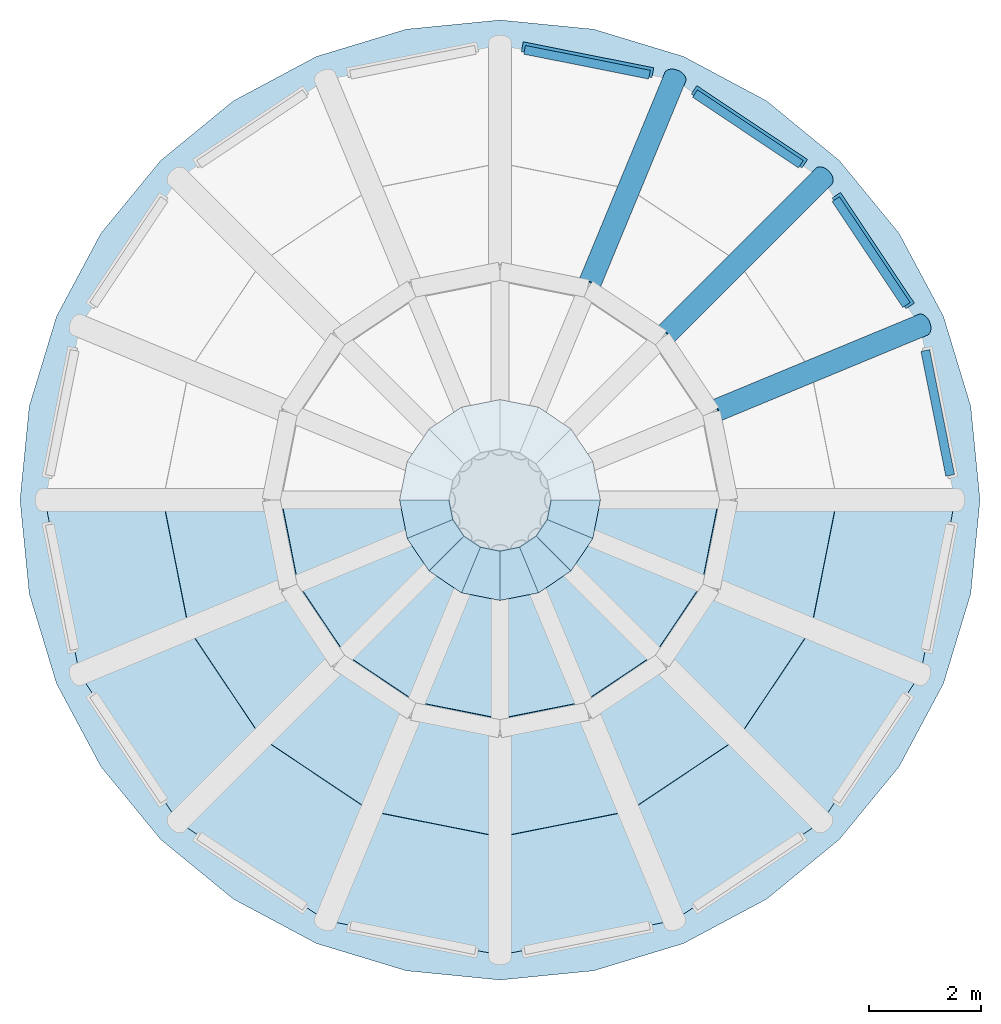
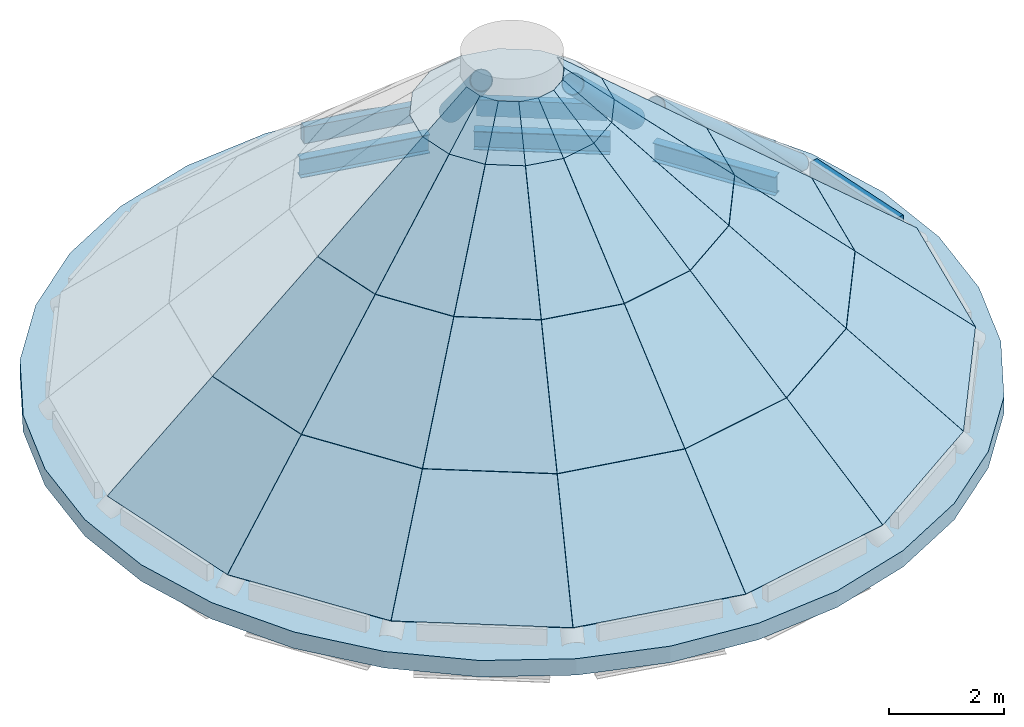
# One storey, part 2 of 3: 33 plates, 7 members, 3 beams, 1 slab, 12 elements without a shape of their own.
"""IFC4 building model written with IfcOpenShell, lengths in metres."""

from ifc_helpers import new_model, si_unit, direction, frame, origin, origin_2d, place, context, subcontext, project, spatial, polyline, rectangle, hollow_circle, i_section, outline, extrude, material, layer, layer_set, material_profile, profile_set, type_object, element, aggregate, save


model = new_model("IFC4")

# Units and contexts
model_context = context("Model", 3, precision=1e-05, world=origin(), true_north=direction((0.0, 1.0)))
body_context = subcontext(model_context, "Body", "Model", "MODEL_VIEW")
ifc_project = project(units=[si_unit("LENGTHUNIT", "METRE"), si_unit("AREAUNIT", "SQUARE_METRE"), si_unit("VOLUMEUNIT", "CUBIC_METRE"), si_unit("PLANEANGLEUNIT", "RADIAN"), si_unit("MASSUNIT", "GRAM", prefix="KILO")], contexts=[model_context])

# Site, building, storey
site_placement = place(None, origin())
site = spatial("IfcSite", under=ifc_project, at=site_placement, CompositionType="ELEMENT")
building_placement = place(site_placement, origin())
building = spatial("IfcBuilding", under=site, at=building_placement, Name="Polderwave Tower", CompositionType="ELEMENT")
storey_placement = place(building_placement, frame((0.0, 0.0, 247.699951171875)))
storey = spatial("IfcBuildingStorey", under=building, at=storey_placement, Name="Roof crown", CompositionType="ELEMENT", Elevation=247.699951171875)

# Members
ifc_material_1 = material(Name="Steel S460", Category="steel")
ifc_material_profile_1 = material_profile(ifc_material_1, hollow_circle(Radius=0.203125, WallThickness=0.01611328125, at=origin_2d()), Name="CHS 406.4x16")
ifc_profile_set_1 = profile_set([ifc_material_profile_1], Name="Steel S460")
member_type_1 = type_object("IfcMemberType", Name="CROWN FRAME RIB CHS 406.4x16", PredefinedType="RAFTER", material=ifc_profile_set_1)
for number, where, z_axis, x_axis, name in (
    (1, (7.575927734375, 3.137939453125, 0.0), (-0.702692724595, -0.291022392901, 0.649252571525), (0.382635776821, -0.923899270644, 0.0), "ST-CF-RIB-01A"),
    (2, (5.79833984375, 5.79833984375, 0.0), (-0.537802828638, -0.537802828638, 0.649258219061), (0.707106781187, -0.707106781187, 0.0), "ST-CF-RIB-02A"),
    (3, (3.137939453125, 7.575927734375, 0.0), (-0.291022392901, -0.702692724595, 0.649252571525), (0.923899270644, -0.382635776821, 0.0), "ST-CF-RIB-03A"),
):
    element("IfcMember", number, at=place(storey_placement, frame(where, z_axis=z_axis, x_axis=x_axis)), inside=storey, type_object=member_type_1, Name=name, PredefinedType="RAFTER", context=body_context, shape_type="SweptSolid", body=[
        extrude(hollow_circle(Radius=0.203125, WallThickness=0.01611328125, at=origin_2d()), origin(), (0.0, 0.0, 1.0), 5.390869140625),
    ])

# Curtain wall, member
ifc_material_2 = material(Name="Aluminium 6063-T6 and glass", Category="aluminium")
curtain_wall_type = type_object("IfcCurtainWallType", Name="Glass point glazing wall", PredefinedType="NOTDEFINED", material=ifc_material_2)
curtain_wall_1_placement = place(storey_placement, origin())
curtain_wall_1 = element("IfcCurtainWall", 4, at=curtain_wall_1_placement, inside=storey, type_object=curtain_wall_type, Name="CROWN CW8 glass point facet 1", PredefinedType="NOTDEFINED")
ifc_material_3 = material(Name="Aluminium 6063-T6", Category="aluminium")
ifc_material_profile_2 = material_profile(ifc_material_3, rectangle(XDim=0.159912109375, YDim=0.35009765625, at=origin_2d()), Name="AL 350x160")
ifc_profile_set_2 = profile_set([ifc_material_profile_2], Name="Aluminium 6063-T6")
member_type_2 = type_object("IfcMemberType", Name="Glass point glazing transom 350x160", PredefinedType="USERDEFINED", material=ifc_profile_set_2)
member_1_placement = place(storey_placement, frame((8.06591796875, 0.44140625, 0.175048828125), z_axis=(-0.19508704364, 0.980785932507, 0.0), x_axis=(-0.980785932507, -0.19508704364, 0.0)))
member_1 = element("IfcMember", 5, at=member_1_placement, type_object=member_type_2, Name="CW8 transom 1", ObjectType="TRANSOM", PredefinedType="USERDEFINED", context=body_context, shape_type="SweptSolid", body=[
    extrude(rectangle(XDim=0.159912109375, YDim=0.35009765625, at=origin_2d()), origin(), (0.0, 0.0, 1.0), 2.281494140625),
])
aggregate(curtain_wall_1, [member_1])

curtain_wall_2_placement = place(storey_placement, origin())
curtain_wall_2 = element("IfcCurtainWall", 6, at=curtain_wall_2_placement, inside=storey, type_object=curtain_wall_type, Name="CROWN CW8 glass point facet 2", PredefinedType="NOTDEFINED")
member_2_placement = place(storey_placement, frame((7.283203125, 3.494384765625, 0.175048828125), z_axis=(-0.555588874493, 0.831457156166, 0.0), x_axis=(-0.831457156166, -0.555588874493, 0.0)))
member_2 = element("IfcMember", 7, at=member_2_placement, type_object=member_type_2, Name="CW8 transom 2", ObjectType="TRANSOM", PredefinedType="USERDEFINED", context=body_context, shape_type="SweptSolid", body=[
    extrude(rectangle(XDim=0.159912109375, YDim=0.35009765625, at=origin_2d()), origin(), (0.0, 0.0, 1.0), 2.281494140625),
])
aggregate(curtain_wall_2, [member_2])

curtain_wall_3_placement = place(storey_placement, origin())
curtain_wall_3 = element("IfcCurtainWall", 8, at=curtain_wall_3_placement, inside=storey, type_object=curtain_wall_type, Name="CROWN CW8 glass point facet 3", PredefinedType="NOTDEFINED")
member_3_placement = place(storey_placement, frame((5.391357421875, 6.015625, 0.175048828125), z_axis=(-0.831457156166, 0.555588874493, 0.0), x_axis=(-0.555588874493, -0.831457156166, 0.0)))
member_3 = element("IfcMember", 9, at=member_3_placement, type_object=member_type_2, Name="CW8 transom 3", ObjectType="TRANSOM", PredefinedType="USERDEFINED", context=body_context, shape_type="SweptSolid", body=[
    extrude(rectangle(XDim=0.159912109375, YDim=0.35009765625, at=origin_2d()), origin(), (0.0, 0.0, 1.0), 2.281494140625),
])
aggregate(curtain_wall_3, [member_3])

curtain_wall_4_placement = place(storey_placement, origin())
curtain_wall_4 = element("IfcCurtainWall", 10, at=curtain_wall_4_placement, inside=storey, type_object=curtain_wall_type, Name="CROWN CW8 glass point facet 4", PredefinedType="NOTDEFINED")
member_4_placement = place(storey_placement, frame((2.678955078125, 7.620849609375, 0.175048828125), z_axis=(-0.980785932507, 0.19508704364, 0.0), x_axis=(-0.19508704364, -0.980785932507, 0.0)))
member_4 = element("IfcMember", 11, at=member_4_placement, type_object=member_type_2, Name="CW8 transom 4", ObjectType="TRANSOM", PredefinedType="USERDEFINED", context=body_context, shape_type="SweptSolid", body=[
    extrude(rectangle(XDim=0.159912109375, YDim=0.35009765625, at=origin_2d()), origin(), (0.0, 0.0, 1.0), 2.281494140625),
])
aggregate(curtain_wall_4, [member_4])

# Beams
ifc_material_4 = material(Name="Steel S355", Category="steel")
ifc_material_profile_3 = material_profile(ifc_material_4, i_section(OverallWidth=0.179931640625, OverallDepth=0.39990234375, WebThickness=0.008544921875, FlangeThickness=0.013427734375, at=origin_2d()), Name="IPE 400")
ifc_profile_set_3 = profile_set([ifc_material_profile_3], Name="Steel S355")
beam_type = type_object("IfcBeamType", Name="RING BEAM IPE 400", PredefinedType="BEAM", material=ifc_profile_set_3)
for number, where, z_axis, x_axis, name in (
    (12, (7.34912109375, 3.47705078125, -0.550048828125), (-0.555503507962, 0.831514192688, 0.0), (-0.831514192688, -0.555503507962, 0.0), "ST-RB-Roof crown-01"),
    (13, (5.459228515625, 6.02490234375, -0.550048828125), (-0.831514192688, 0.555503507962, 0.0), (-0.555503507962, -0.831514192688, 0.0), "ST-RB-Roof crown-02"),
):
    element("IfcBeam", number, at=place(storey_placement, frame(where, z_axis=z_axis, x_axis=x_axis)), inside=storey, type_object=beam_type, Name=name, PredefinedType="BEAM", context=body_context, shape_type="SweptSolid", body=[
        extrude(i_section(OverallWidth=0.179931640625, OverallDepth=0.39990234375, WebThickness=0.008544921875, FlangeThickness=0.013427734375, at=origin_2d()), origin(), (0.0, 0.0, 1.0), 2.3837890625),
    ])
beam_placement = place(storey_placement, frame((2.738037109375, 7.6552734375, -0.550048828125), z_axis=(-0.980784961828, 0.195091923596, 0.0), x_axis=(-0.195091923596, -0.980784961828, 0.0)))
element("IfcBeam", 14, at=beam_placement, inside=storey, type_object=beam_type, Name="ST-RB-Roof crown-03", PredefinedType="BEAM", context=body_context, shape_type="SweptSolid", body=[
    extrude(i_section(OverallWidth=0.179931640625, OverallDepth=0.39990234375, WebThickness=0.008544921875, FlangeThickness=0.013427734375, at=origin_2d()), origin(), (0.0, 0.0, 1.0), 2.384033203125),
])

# Plates
ifc_material_5 = material(Name="Stainless steel 316", Category="steel")
ifc_layer_1 = layer(ifc_material_5, 0.011962890625)
ifc_layer_set_1 = layer_set([ifc_layer_1], Name="Apex cap panel")
plate_type_1 = type_object("IfcPlateType", Name="Apex cap panel", PredefinedType="SHEET", material=ifc_layer_set_1)
plate_1_placement = place(storey_placement, frame((-1.800048828125, 0.0, 5.774169921875), z_axis=(-0.643894284052, -0.127871963453, 0.754353307097), x_axis=(0.194934789288, -0.980816196274, 0.000130580433)))
element("IfcPlate", 15, at=plate_1_placement, inside=storey, type_object=plate_type_1, Name="CROWN apex cap panel 9", PredefinedType="SHEET", context=body_context, shape_type="SweptSolid", body=[
    extrude(outline(polyline([(0.0, 0.0), (0.7022072525586862, -1.3877787807814457e-17), (0.5302839417233564, 1.1472057327220955), (0.1721416269319006, 1.1474166504998315), (0.0, 0.0)])), origin(), (0.0, 0.0, -1.0), 0.011962890625),
])
plate_2_placement = place(storey_placement, frame((-1.6630859375, -0.688720703125, 5.774169921875), z_axis=(-0.545838569118, -0.364900112393, 0.754260011162), x_axis=(0.555751003754, -0.831348796646, -1.1848247e-05)))
element("IfcPlate", 16, at=plate_2_placement, inside=storey, type_object=plate_type_1, Name="CROWN apex cap panel 10", PredefinedType="SHEET", context=body_context, shape_type="SweptSolid", body=[
    extrude(outline(polyline([(0.0, 0.0), (0.7024492618607743, 2.7755575615628914e-17), (0.5305281406008179, 1.1471334559392674), (0.17253222967017123, 1.147114319663753), (0.0, 0.0)])), origin(), (0.0, 0.0, -1.0), 0.011962890625),
])
plate_3_placement = place(storey_placement, frame((-1.272705078125, -1.272705078125, 5.774169921875), z_axis=(-0.364900112393, -0.545838569118, 0.754260011162), x_axis=(0.831348796646, -0.555751003754, 1.1848247e-05)))
element("IfcPlate", 17, at=plate_3_placement, inside=storey, type_object=plate_type_1, Name="CROWN apex cap panel 11", PredefinedType="SHEET", context=body_context, shape_type="SweptSolid", body=[
    extrude(outline(polyline([(0.0, 0.0), (0.7024492618607743, -2.7755575615628914e-17), (0.529917032190603, 1.1471143196637528), (0.1719211212599564, 1.1471334559392674), (0.0, 0.0)])), origin(), (0.0, 0.0, -1.0), 0.011962890625),
])
plate_4_placement = place(storey_placement, frame((-0.688720703125, -1.6630859375, 5.774169921875), z_axis=(-0.127871963453, -0.643894284052, 0.754353307097), x_axis=(0.980816196274, -0.194934789288, -0.000130580433)))
element("IfcPlate", 18, at=plate_4_placement, inside=storey, type_object=plate_type_1, Name="CROWN apex cap panel 12", PredefinedType="SHEET", context=body_context, shape_type="SweptSolid", body=[
    extrude(outline(polyline([(0.0, 0.0), (0.7022072525586862, 1.3877787807814457e-17), (0.5300656256267856, 1.1474166504998318), (0.17192331083532977, 1.1472057327220955), (0.0, 0.0)])), origin(), (0.0, 0.0, -1.0), 0.011962890625),
])
plate_5_placement = place(storey_placement, frame((0.0, -1.800048828125, 5.774169921875), z_axis=(0.127871963453, -0.643894284052, 0.754353307097), x_axis=(0.980816196274, 0.194934789288, 0.000130580433)))
element("IfcPlate", 19, at=plate_5_placement, inside=storey, type_object=plate_type_1, Name="CROWN apex cap panel 13", PredefinedType="SHEET", context=body_context, shape_type="SweptSolid", body=[
    extrude(outline(polyline([(0.0, 0.0), (0.7022072525586862, -1.3877787807814457e-17), (0.5302839417233564, 1.1472057327220955), (0.1721416269319006, 1.1474166504998315), (0.0, 0.0)])), origin(), (0.0, 0.0, -1.0), 0.011962890625),
])
plate_6_placement = place(storey_placement, frame((0.688720703125, -1.6630859375, 5.774169921875), z_axis=(0.364900112393, -0.545838569118, 0.754260011162), x_axis=(0.831348796646, 0.555751003754, -1.1848247e-05)))
element("IfcPlate", 20, at=plate_6_placement, inside=storey, type_object=plate_type_1, Name="CROWN apex cap panel 14", PredefinedType="SHEET", context=body_context, shape_type="SweptSolid", body=[
    extrude(outline(polyline([(0.0, 0.0), (0.7024492618607743, 2.7755575615628914e-17), (0.5305281406008179, 1.1471334559392674), (0.17253222967017123, 1.147114319663753), (0.0, 0.0)])), origin(), (0.0, 0.0, -1.0), 0.011962890625),
])
plate_7_placement = place(storey_placement, frame((1.272705078125, -1.272705078125, 5.774169921875), z_axis=(0.545838569118, -0.364900112393, 0.754260011162), x_axis=(0.555751003754, 0.831348796646, 1.1848247e-05)))
element("IfcPlate", 21, at=plate_7_placement, inside=storey, type_object=plate_type_1, Name="CROWN apex cap panel 15", PredefinedType="SHEET", context=body_context, shape_type="SweptSolid", body=[
    extrude(outline(polyline([(0.0, 0.0), (0.7024492618607743, -2.7755575615628914e-17), (0.529917032190603, 1.1471143196637528), (0.1719211212599564, 1.1471334559392674), (0.0, 0.0)])), origin(), (0.0, 0.0, -1.0), 0.011962890625),
])
plate_8_placement = place(storey_placement, frame((1.6630859375, -0.688720703125, 5.774169921875), z_axis=(0.643894284052, -0.127871963453, 0.754353307097), x_axis=(0.194934789288, 0.980816196274, -0.000130580433)))
element("IfcPlate", 22, at=plate_8_placement, inside=storey, type_object=plate_type_1, Name="CROWN apex cap panel 16", PredefinedType="SHEET", context=body_context, shape_type="SweptSolid", body=[
    extrude(outline(polyline([(0.0, 0.0), (0.7022072525586862, 1.3877787807814457e-17), (0.5300656256267856, 1.1474166504998318), (0.17192331083532977, 1.1472057327220955), (0.0, 0.0)])), origin(), (0.0, 0.0, -1.0), 0.011962890625),
])
ifc_layer_2 = layer(ifc_material_5, 0.011962890625)
ifc_layer_set_2 = layer_set([ifc_layer_2], Name="Apex deck plate")
plate_type_2 = type_object("IfcPlateType", Name="Apex deck plate", PredefinedType="SHEET", material=ifc_layer_set_2)
plate_9_placement = place(storey_placement, frame((0.0, 0.0, 5.761962890625)))
element("IfcPlate", 23, at=plate_9_placement, inside=storey, type_object=plate_type_2, Name="CROWN apex deck plate", PredefinedType="SHEET", context=body_context, shape_type="SweptSolid", body=[
    extrude(outline(polyline([(1.800048828125, 0.0), (1.6630859375, 0.688720703125), (1.272705078125, 1.272705078125), (0.688720703125, 1.6630859375), (0.0, 1.800048828125), (-0.688720703125, 1.6630859375), (-1.272705078125, 1.272705078125), (-1.6630859375, 0.688720703125), (-1.800048828125, 0.0), (-1.6630859375, -0.688720703125), (-1.272705078125, -1.272705078125), (-0.688720703125, -1.6630859375), (0.0, -1.800048828125), (0.688720703125, -1.6630859375), (1.272705078125, -1.272705078125), (1.6630859375, -0.688720703125), (1.800048828125, 0.0)])), origin(), (0.0, 0.0, 1.0), 0.01220703125),
])

# Curtain wall, plates
curtain_wall_5_placement = place(storey_placement, origin())
curtain_wall_5 = element("IfcCurtainWall", 24, at=curtain_wall_5_placement, inside=storey, type_object=curtain_wall_type, Name="CROWN CW8 glass point facet 9", PredefinedType="NOTDEFINED")
ifc_material_6 = material(Name="Glass, low-e laminated double glazing", Category="glass")
ifc_layer_3 = layer(ifc_material_6, 0.031982421875)
ifc_layer_set_3 = layer_set([ifc_layer_3], Name="Glass point glazing glass panel 32 mm")
plate_type_3 = type_object("IfcPlateType", Name="Glass point glazing glass panel 32 mm", PredefinedType="CURTAIN_PANEL", material=ifc_layer_set_3)
plate_10_placement = place(storey_placement, frame((-8.1533203125, -0.001953125, 0.35009765625), z_axis=(-0.643929290228, -0.128066966968, 0.754290342745), x_axis=(0.195073724191, -0.980788581725, 9.367563e-06)))
plate_10 = element("IfcPlate", 25, at=plate_10_placement, type_object=plate_type_3, Name="CROWN CW8 panel 9.1", PredefinedType="CURTAIN_PANEL", context=body_context, shape_type="SweptSolid", body=[
    extrude(outline(polyline([(0.0, 0.0), (3.177504499864002, 1.1102230246251565e-16), (2.764745592883499, 2.7506009778718745), (0.4126911894469328, 2.7506798739185885), (0.0, 0.0)])), origin(), (0.0, 0.0, -1.0), 0.031982421875),
])
plate_11_placement = place(storey_placement, frame((-6.033203125, -0.001953125, 2.16015625), z_axis=(-0.643906228697, -0.128078201045, 0.754308122097), x_axis=(0.195092495486, -0.980784848056, 5.454089e-06)))
plate_11 = element("IfcPlate", 26, at=plate_11_placement, type_object=plate_type_3, Name="CROWN CW8 panel 9.2", PredefinedType="CURTAIN_PANEL", context=body_context, shape_type="SweptSolid", body=[
    extrude(outline(polyline([(0.0, 0.0), (2.3500911760290317, 1.1102230246251565e-16), (1.9379416569632635, 2.7477349452221067), (0.4122951516581505, 2.7477671431773425), (0.0, 0.0)])), origin(), (0.0, 0.0, -1.0), 0.031982421875),
])
plate_12_placement = place(storey_placement, frame((-3.915283203125, -0.001953125, 3.968017578125), z_axis=(-0.643931466803, -0.128093893934, 0.754283912329), x_axis=(0.195118013872, -0.980779771641, 1.4223863e-05)))
plate_12 = element("IfcPlate", 27, at=plate_12_placement, type_object=plate_type_3, Name="CROWN CW8 panel 9.3", PredefinedType="CURTAIN_PANEL", context=body_context, shape_type="SweptSolid", body=[
    extrude(outline(polyline([(0.0, 0.0), (1.5239227301959921, 0.0), (1.1113139226862956, 2.750957253056691), (0.41284129305606, 2.751005400380949), (0.0, 0.0)])), origin(), (0.0, 0.0, -1.0), 0.031982421875),
])
aggregate(curtain_wall_5, [plate_10, plate_11, plate_12])

curtain_wall_6_placement = place(storey_placement, origin())
curtain_wall_6 = element("IfcCurtainWall", 28, at=curtain_wall_6_placement, inside=storey, type_object=curtain_wall_type, Name="CROWN CW8 glass point facet 10", PredefinedType="NOTDEFINED")
plate_13_placement = place(storey_placement, frame((-7.531982421875, -3.1220703125, 0.35009765625), z_axis=(-0.545872204247, -0.364755453563, 0.754305638138), x_axis=(0.555596492597, -0.831452065547, 1.0614797e-05)))
plate_13 = element("IfcPlate", 29, at=plate_13_placement, type_object=plate_type_3, Name="CROWN CW8 panel 10.1", PredefinedType="CURTAIN_PANEL", context=body_context, shape_type="SweptSolid", body=[
    extrude(outline(polyline([(0.0, 0.0), (3.1774074802845726, -2.220446049250313e-16), (2.764788198593433, 2.7506693498540047), (0.4128635224691294, 2.7507587491638126), (0.0, 0.0)])), origin(), (0.0, 0.0, -1.0), 0.031982421875),
])
plate_14_placement = place(storey_placement, frame((-5.572998046875, -2.310546875, 2.16015625), z_axis=(-0.545920343288, -0.364691332357, 0.754301803582), x_axis=(0.555488449524, -0.831524252462, 3.65575e-06)))
plate_14 = element("IfcPlate", 30, at=plate_14_placement, type_object=plate_type_3, Name="CROWN CW8 panel 10.2", PredefinedType="CURTAIN_PANEL", context=body_context, shape_type="SweptSolid", body=[
    extrude(outline(polyline([(0.0, 0.0), (2.3500285293722185, 1.1102230246251565e-16), (1.937734434354164, 2.747709871508267), (0.4121728073793075, 2.747731451993983), (0.0, 0.0)])), origin(), (0.0, 0.0, -1.0), 0.031982421875),
])
plate_15_placement = place(storey_placement, frame((-3.616455078125, -1.5, 3.968017578125), z_axis=(-0.545921772353, -0.364717294003, 0.754288216748), x_axis=(0.55549143855, -0.831522255424, -2.0782828e-05)))
plate_15 = element("IfcPlate", 31, at=plate_15_placement, type_object=plate_type_3, Name="CROWN CW8 panel 10.3", PredefinedType="CURTAIN_PANEL", context=body_context, shape_type="SweptSolid", body=[
    extrude(outline(polyline([(0.0, 0.0), (1.5238011042735295, 0.0), (1.1107955873871136, 2.7510372130653513), (0.4125446549518927, 2.7509668741941415), (0.0, 0.0)])), origin(), (0.0, 0.0, -1.0), 0.031982421875),
])
aggregate(curtain_wall_6, [plate_13, plate_14, plate_15])

curtain_wall_7_placement = place(storey_placement, origin())
curtain_wall_7 = element("IfcCurtainWall", 32, at=curtain_wall_7_placement, inside=storey, type_object=curtain_wall_type, Name="CROWN CW8 glass point facet 11", PredefinedType="NOTDEFINED")
plate_16_placement = place(storey_placement, frame((-5.763916015625, -5.7666015625, 0.35009765625), z_axis=(-0.364755453563, -0.545872204247, 0.754305638138), x_axis=(0.831452065547, -0.555596492597, -1.0614797e-05)))
plate_16 = element("IfcPlate", 33, at=plate_16_placement, type_object=plate_type_3, Name="CROWN CW8 panel 11.1", PredefinedType="CURTAIN_PANEL", context=body_context, shape_type="SweptSolid", body=[
    extrude(outline(polyline([(0.0, 0.0), (3.1774074802845726, 2.220446049250313e-16), (2.764543957815443, 2.7507587491638126), (0.4126192816911394, 2.7506693498540042), (0.0, 0.0)])), origin(), (0.0, 0.0, -1.0), 0.031982421875),
])
plate_17_placement = place(storey_placement, frame((-4.2646484375, -4.267578125, 2.16015625), z_axis=(-0.364691332357, -0.545920343288, 0.754301803582), x_axis=(0.831524252462, -0.555488449524, -3.65575e-06)))
plate_17 = element("IfcPlate", 34, at=plate_17_placement, type_object=plate_type_3, Name="CROWN CW8 panel 11.2", PredefinedType="CURTAIN_PANEL", context=body_context, shape_type="SweptSolid", body=[
    extrude(outline(polyline([(0.0, 0.0), (2.3500285293722185, -1.1102230246251565e-16), (1.9378557219929111, 2.747731451993983), (0.41229409501805436, 2.747709871508267), (0.0, 0.0)])), origin(), (0.0, 0.0, -1.0), 0.031982421875),
])
plate_18_placement = place(storey_placement, frame((-2.76708984375, -2.77001953125, 3.968017578125), z_axis=(-0.364717294003, -0.545921772353, 0.754288216748), x_axis=(0.831522255424, -0.55549143855, 2.0782828e-05)))
plate_18 = element("IfcPlate", 35, at=plate_18_placement, type_object=plate_type_3, Name="CROWN CW8 panel 11.3", PredefinedType="CURTAIN_PANEL", context=body_context, shape_type="SweptSolid", body=[
    extrude(outline(polyline([(0.0, 0.0), (1.5238011042735295, 0.0), (1.1112564493216368, 2.750966874194141), (0.4130055168864158, 2.7510372130653513), (0.0, 0.0)])), origin(), (0.0, 0.0, -1.0), 0.031982421875),
])
aggregate(curtain_wall_7, [plate_16, plate_17, plate_18])

curtain_wall_8_placement = place(storey_placement, origin())
curtain_wall_8 = element("IfcCurtainWall", 36, at=curtain_wall_8_placement, inside=storey, type_object=curtain_wall_type, Name="CROWN CW8 glass point facet 12", PredefinedType="NOTDEFINED")
plate_19_placement = place(storey_placement, frame((-3.118408203125, -7.533447265625, 0.35009765625), z_axis=(-0.128066966968, -0.643929290228, 0.754290342745), x_axis=(0.980788581725, -0.195073724191, -9.367563e-06)))
plate_19 = element("IfcPlate", 37, at=plate_19_placement, type_object=plate_type_3, Name="CROWN CW8 panel 12.1", PredefinedType="CURTAIN_PANEL", context=body_context, shape_type="SweptSolid", body=[
    extrude(outline(polyline([(0.0, 0.0), (3.177504499864002, -1.1102230246251565e-16), (2.7648133104170696, 2.7506798739185885), (0.4127589069805032, 2.7506009778718745), (0.0, 0.0)])), origin(), (0.0, 0.0, -1.0), 0.031982421875),
])
plate_20_placement = place(storey_placement, frame((-2.306884765625, -5.57470703125, 2.16015625), z_axis=(-0.128078201045, -0.643906228697, 0.754308122097), x_axis=(0.980784848056, -0.195092495486, -5.454089e-06)))
plate_20 = element("IfcPlate", 38, at=plate_20_placement, type_object=plate_type_3, Name="CROWN CW8 panel 12.2", PredefinedType="CURTAIN_PANEL", context=body_context, shape_type="SweptSolid", body=[
    extrude(outline(polyline([(0.0, 0.0), (2.3500911760290317, -1.1102230246251565e-16), (1.9377960243708814, 2.7477671431773425), (0.4121495190657682, 2.7477349452221063), (0.0, 0.0)])), origin(), (0.0, 0.0, -1.0), 0.031982421875),
])
plate_21_placement = place(storey_placement, frame((-1.49658203125, -3.617919921875, 3.968017578125), z_axis=(-0.128093893934, -0.643931466803, 0.754283912329), x_axis=(0.980779771641, -0.195118013872, -1.4223863e-05)))
plate_21 = element("IfcPlate", 39, at=plate_21_placement, type_object=plate_type_3, Name="CROWN CW8 panel 12.3", PredefinedType="CURTAIN_PANEL", context=body_context, shape_type="SweptSolid", body=[
    extrude(outline(polyline([(0.0, 0.0), (1.5239227301959921, 0.0), (1.1110814371399322, 2.751005400380949), (0.4126088075096967, 2.750957253056691), (0.0, 0.0)])), origin(), (0.0, 0.0, -1.0), 0.031982421875),
])
aggregate(curtain_wall_8, [plate_19, plate_20, plate_21])

curtain_wall_9_placement = place(storey_placement, origin())
curtain_wall_9 = element("IfcCurtainWall", 40, at=curtain_wall_9_placement, inside=storey, type_object=curtain_wall_type, Name="CROWN CW8 glass point facet 13", PredefinedType="NOTDEFINED")
plate_22_placement = place(storey_placement, frame((0.001953125, -8.1533203125, 0.35009765625), z_axis=(0.128066966968, -0.643929290228, 0.754290342745), x_axis=(0.980788581725, 0.195073724191, 9.367563e-06)))
plate_22 = element("IfcPlate", 41, at=plate_22_placement, type_object=plate_type_3, Name="CROWN CW8 panel 13.1", PredefinedType="CURTAIN_PANEL", context=body_context, shape_type="SweptSolid", body=[
    extrude(outline(polyline([(0.0, 0.0), (3.177504499864002, 1.1102230246251565e-16), (2.764745592883499, 2.7506009778718745), (0.4126911894469328, 2.7506798739185885), (0.0, 0.0)])), origin(), (0.0, 0.0, -1.0), 0.031982421875),
])
plate_23_placement = place(storey_placement, frame((0.001953125, -6.033203125, 2.16015625), z_axis=(0.128078201045, -0.643906228697, 0.754308122097), x_axis=(0.980784848056, 0.195092495486, 5.454089e-06)))
plate_23 = element("IfcPlate", 42, at=plate_23_placement, type_object=plate_type_3, Name="CROWN CW8 panel 13.2", PredefinedType="CURTAIN_PANEL", context=body_context, shape_type="SweptSolid", body=[
    extrude(outline(polyline([(0.0, 0.0), (2.3500911760290317, 1.1102230246251565e-16), (1.9379416569632635, 2.7477349452221067), (0.4122951516581505, 2.7477671431773425), (0.0, 0.0)])), origin(), (0.0, 0.0, -1.0), 0.031982421875),
])
plate_24_placement = place(storey_placement, frame((0.001953125, -3.915283203125, 3.968017578125), z_axis=(0.128093893934, -0.643931466803, 0.754283912329), x_axis=(0.980779771641, 0.195118013872, 1.4223863e-05)))
plate_24 = element("IfcPlate", 43, at=plate_24_placement, type_object=plate_type_3, Name="CROWN CW8 panel 13.3", PredefinedType="CURTAIN_PANEL", context=body_context, shape_type="SweptSolid", body=[
    extrude(outline(polyline([(0.0, 0.0), (1.5239227301959921, 0.0), (1.1113139226862956, 2.750957253056691), (0.41284129305606, 2.751005400380949), (0.0, 0.0)])), origin(), (0.0, 0.0, -1.0), 0.031982421875),
])
aggregate(curtain_wall_9, [plate_22, plate_23, plate_24])

curtain_wall_10_placement = place(storey_placement, origin())
curtain_wall_10 = element("IfcCurtainWall", 44, at=curtain_wall_10_placement, inside=storey, type_object=curtain_wall_type, Name="CROWN CW8 glass point facet 14", PredefinedType="NOTDEFINED")
plate_25_placement = place(storey_placement, frame((3.1220703125, -7.531982421875, 0.35009765625), z_axis=(0.364755453563, -0.545872204247, 0.754305638138), x_axis=(0.831452065547, 0.555596492597, 1.0614797e-05)))
plate_25 = element("IfcPlate", 45, at=plate_25_placement, type_object=plate_type_3, Name="CROWN CW8 panel 14.1", PredefinedType="CURTAIN_PANEL", context=body_context, shape_type="SweptSolid", body=[
    extrude(outline(polyline([(0.0, 0.0), (3.1774074802845726, -2.220446049250313e-16), (2.764788198593433, 2.7506693498540047), (0.4128635224691294, 2.7507587491638126), (0.0, 0.0)])), origin(), (0.0, 0.0, -1.0), 0.031982421875),
])
plate_26_placement = place(storey_placement, frame((2.310546875, -5.572998046875, 2.16015625), z_axis=(0.364691332357, -0.545920343288, 0.754301803582), x_axis=(0.831524252462, 0.555488449524, 3.65575e-06)))
plate_26 = element("IfcPlate", 46, at=plate_26_placement, type_object=plate_type_3, Name="CROWN CW8 panel 14.2", PredefinedType="CURTAIN_PANEL", context=body_context, shape_type="SweptSolid", body=[
    extrude(outline(polyline([(0.0, 0.0), (2.3500285293722185, 1.1102230246251565e-16), (1.937734434354164, 2.747709871508267), (0.4121728073793075, 2.747731451993983), (0.0, 0.0)])), origin(), (0.0, 0.0, -1.0), 0.031982421875),
])
plate_27_placement = place(storey_placement, frame((1.5, -3.616455078125, 3.968017578125), z_axis=(0.364717294003, -0.545921772353, 0.754288216748), x_axis=(0.831522255424, 0.55549143855, -2.0782828e-05)))
plate_27 = element("IfcPlate", 47, at=plate_27_placement, type_object=plate_type_3, Name="CROWN CW8 panel 14.3", PredefinedType="CURTAIN_PANEL", context=body_context, shape_type="SweptSolid", body=[
    extrude(outline(polyline([(0.0, 0.0), (1.5238011042735295, 0.0), (1.1107955873871136, 2.7510372130653513), (0.4125446549518927, 2.7509668741941415), (0.0, 0.0)])), origin(), (0.0, 0.0, -1.0), 0.031982421875),
])
aggregate(curtain_wall_10, [plate_25, plate_26, plate_27])

curtain_wall_11_placement = place(storey_placement, origin())
curtain_wall_11 = element("IfcCurtainWall", 48, at=curtain_wall_11_placement, inside=storey, type_object=curtain_wall_type, Name="CROWN CW8 glass point facet 15", PredefinedType="NOTDEFINED")
plate_28_placement = place(storey_placement, frame((5.7666015625, -5.763916015625, 0.35009765625), z_axis=(0.545872204247, -0.364755453563, 0.754305638138), x_axis=(0.555596492597, 0.831452065547, -1.0614797e-05)))
plate_28 = element("IfcPlate", 49, at=plate_28_placement, type_object=plate_type_3, Name="CROWN CW8 panel 15.1", PredefinedType="CURTAIN_PANEL", context=body_context, shape_type="SweptSolid", body=[
    extrude(outline(polyline([(0.0, 0.0), (3.1774074802845726, 2.220446049250313e-16), (2.764543957815443, 2.7507587491638126), (0.4126192816911394, 2.7506693498540042), (0.0, 0.0)])), origin(), (0.0, 0.0, -1.0), 0.031982421875),
])
plate_29_placement = place(storey_placement, frame((4.267578125, -4.2646484375, 2.16015625), z_axis=(0.545920343288, -0.364691332357, 0.754301803582), x_axis=(0.555488449524, 0.831524252462, -3.65575e-06)))
plate_29 = element("IfcPlate", 50, at=plate_29_placement, type_object=plate_type_3, Name="CROWN CW8 panel 15.2", PredefinedType="CURTAIN_PANEL", context=body_context, shape_type="SweptSolid", body=[
    extrude(outline(polyline([(0.0, 0.0), (2.3500285293722185, -1.1102230246251565e-16), (1.9378557219929111, 2.747731451993983), (0.41229409501805436, 2.747709871508267), (0.0, 0.0)])), origin(), (0.0, 0.0, -1.0), 0.031982421875),
])
plate_30_placement = place(storey_placement, frame((2.77001953125, -2.76708984375, 3.968017578125), z_axis=(0.545921772353, -0.364717294003, 0.754288216748), x_axis=(0.55549143855, 0.831522255424, 2.0782828e-05)))
plate_30 = element("IfcPlate", 51, at=plate_30_placement, type_object=plate_type_3, Name="CROWN CW8 panel 15.3", PredefinedType="CURTAIN_PANEL", context=body_context, shape_type="SweptSolid", body=[
    extrude(outline(polyline([(0.0, 0.0), (1.5238011042735295, 0.0), (1.1112564493216368, 2.750966874194141), (0.4130055168864158, 2.7510372130653513), (0.0, 0.0)])), origin(), (0.0, 0.0, -1.0), 0.031982421875),
])
aggregate(curtain_wall_11, [plate_28, plate_29, plate_30])

curtain_wall_12_placement = place(storey_placement, origin())
curtain_wall_12 = element("IfcCurtainWall", 52, at=curtain_wall_12_placement, inside=storey, type_object=curtain_wall_type, Name="CROWN CW8 glass point facet 16", PredefinedType="NOTDEFINED")
plate_31_placement = place(storey_placement, frame((7.533447265625, -3.118408203125, 0.35009765625), z_axis=(0.643929290228, -0.128066966968, 0.754290342745), x_axis=(0.195073724191, 0.980788581725, -9.367563e-06)))
plate_31 = element("IfcPlate", 53, at=plate_31_placement, type_object=plate_type_3, Name="CROWN CW8 panel 16.1", PredefinedType="CURTAIN_PANEL", context=body_context, shape_type="SweptSolid", body=[
    extrude(outline(polyline([(0.0, 0.0), (3.177504499864002, -1.1102230246251565e-16), (2.7648133104170696, 2.7506798739185885), (0.4127589069805032, 2.7506009778718745), (0.0, 0.0)])), origin(), (0.0, 0.0, -1.0), 0.031982421875),
])
plate_32_placement = place(storey_placement, frame((5.57470703125, -2.306884765625, 2.16015625), z_axis=(0.643906228697, -0.128078201045, 0.754308122097), x_axis=(0.195092495486, 0.980784848056, -5.454089e-06)))
plate_32 = element("IfcPlate", 54, at=plate_32_placement, type_object=plate_type_3, Name="CROWN CW8 panel 16.2", PredefinedType="CURTAIN_PANEL", context=body_context, shape_type="SweptSolid", body=[
    extrude(outline(polyline([(0.0, 0.0), (2.3500911760290317, -1.1102230246251565e-16), (1.9377960243708814, 2.7477671431773425), (0.4121495190657682, 2.7477349452221063), (0.0, 0.0)])), origin(), (0.0, 0.0, -1.0), 0.031982421875),
])
plate_33_placement = place(storey_placement, frame((3.617919921875, -1.49658203125, 3.968017578125), z_axis=(0.643931466803, -0.128093893934, 0.754283912329), x_axis=(0.195118013872, 0.980779771641, -1.4223863e-05)))
plate_33 = element("IfcPlate", 55, at=plate_33_placement, type_object=plate_type_3, Name="CROWN CW8 panel 16.3", PredefinedType="CURTAIN_PANEL", context=body_context, shape_type="SweptSolid", body=[
    extrude(outline(polyline([(0.0, 0.0), (1.5239227301959921, 0.0), (1.1110814371399322, 2.751005400380949), (0.4126088075096967, 2.750957253056691), (0.0, 0.0)])), origin(), (0.0, 0.0, -1.0), 0.031982421875),
])
aggregate(curtain_wall_12, [plate_31, plate_32, plate_33])

# Slab
ifc_material_7 = material(Name="Concrete C40/50", Category="concrete")
ifc_layer_4 = layer(ifc_material_7, 0.35009765625)
ifc_layer_set_4 = layer_set([ifc_layer_4], Name="ROOF SLAB 350 C40/50")
slab_type = type_object("IfcSlabType", Name="ROOF SLAB 350 C40/50", PredefinedType="ROOF", material=ifc_layer_set_4)
slab_placement = place(storey_placement, frame((0.0, 0.0, -0.349853515625)))
element("IfcSlab", 56, at=slab_placement, inside=storey, type_object=slab_type, Name="ST-SLAB-Roof crown", PredefinedType="ROOF", context=body_context, shape_type="SweptSolid", body=[
    extrude(outline(polyline([(8.60009765625, 0.0), (8.434814453125, 1.677734375), (7.9453125, 3.291015625), (7.150634765625, 4.77783203125), (6.0810546875, 6.0810546875), (4.77783203125, 7.150634765625), (3.291015625, 7.9453125), (1.677734375, 8.434814453125), (0.0, 8.60009765625), (-1.677734375, 8.434814453125), (-3.291015625, 7.9453125), (-4.77783203125, 7.150634765625), (-6.0810546875, 6.0810546875), (-7.150634765625, 4.77783203125), (-7.9453125, 3.291015625), (-8.434814453125, 1.677734375), (-8.60009765625, 0.0), (-8.434814453125, -1.677734375), (-7.9453125, -3.291015625), (-7.150634765625, -4.77783203125), (-6.0810546875, -6.0810546875), (-4.77783203125, -7.150634765625), (-3.291015625, -7.9453125), (-1.677734375, -8.434814453125), (0.0, -8.60009765625), (1.677734375, -8.434814453125), (3.291015625, -7.9453125), (4.77783203125, -7.150634765625), (6.0810546875, -6.0810546875), (7.150634765625, -4.77783203125), (7.9453125, -3.291015625), (8.434814453125, -1.677734375), (8.60009765625, 0.0)])), origin(), (0.0, 0.0, 1.0), 0.349853515625),
])

save(model, "model.ifc")
